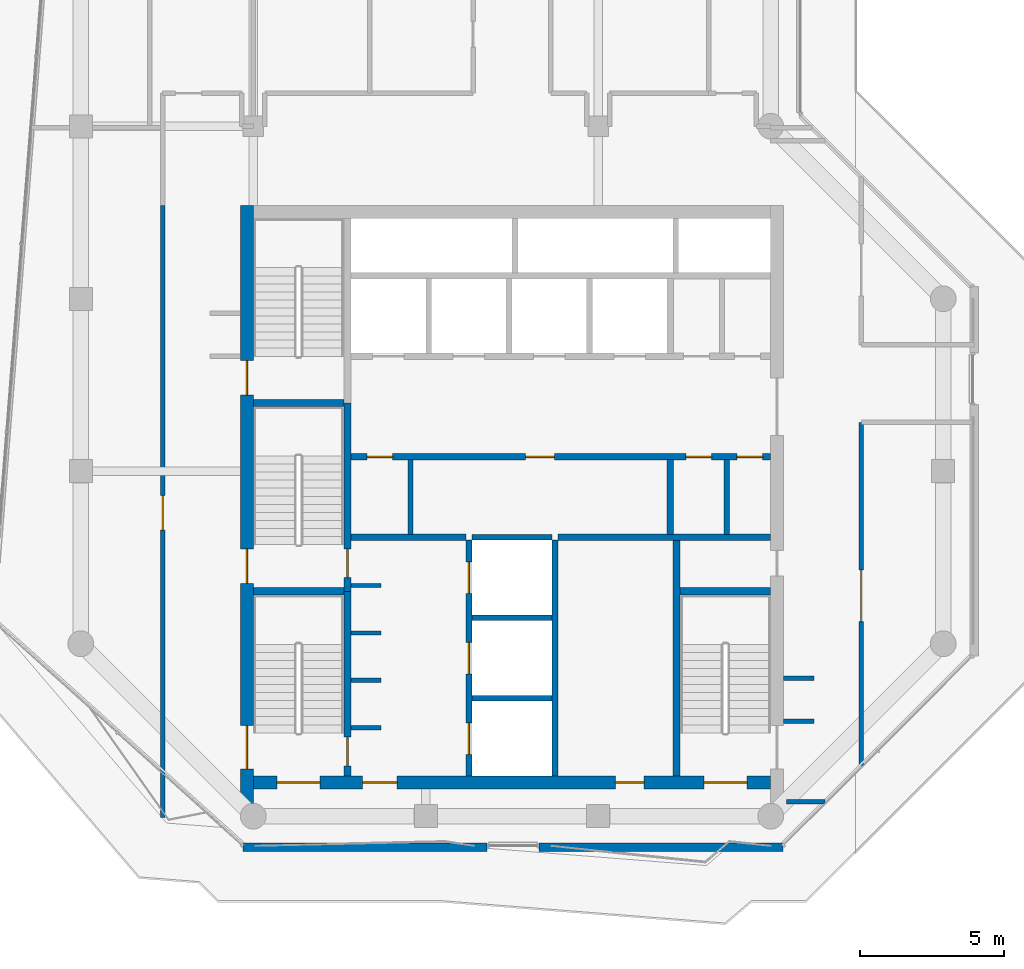
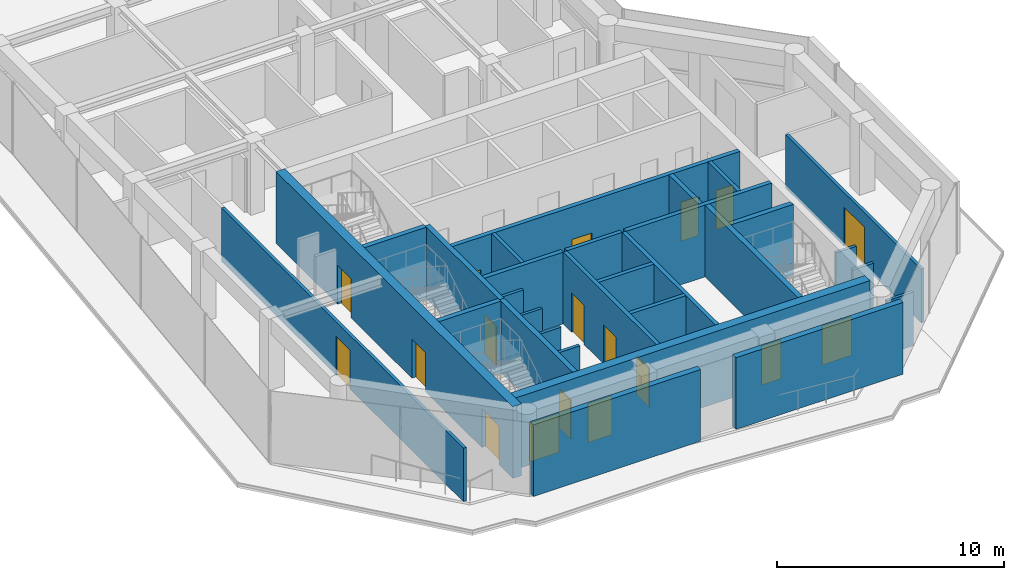
# One storey, part 19 of 23: 30 walls, 18 doors, 18 openings.
"""IFC4 building model written with IfcOpenShell, lengths in metres."""

import ifcopenshell
import ifcopenshell.guid

model = None  # the IFC model being written
_history = None  # IfcOwnerHistory: only IFC2X3 demands one
_inside = {}  # id of a spatial element -> (the spatial element, [elements in it])
_under = {}  # id of a project, library or spatial element -> (it, [spatial elements below it])
_declared = {}  # id of a project -> (the project, [libraries it declares])
_typed = {}  # id of a type object -> (the type object, [elements of that type])
_made_of = {}  # id of a material, layer set ... -> (it, [elements and type objects made of it])


def new_model(schema):
    """Start an empty IFC model of exactly this schema.

    Asked for "IFC4X3", IfcOpenShell would pick the latest addendum, in which some entities
    have other attributes; the version numbers below select the first issue.
    IFC2X3 requires an IfcOwnerHistory on every rooted entity: one is made here for all.
    """
    global model, _history
    if schema == "IFC4X3":
        model = ifcopenshell.file(schema_version=(4, 3, 0, 0))
    else:
        model = ifcopenshell.file(schema=schema)
    _inside.clear()
    _under.clear()
    _declared.clear()
    _typed.clear()
    _made_of.clear()
    _history = None
    if model.schema == "IFC2X3":
        org = make("IfcOrganization", Name="unknown")
        user = make(
            "IfcPersonAndOrganization",
            ThePerson=make("IfcPerson", FamilyName="unknown"),
            TheOrganization=org,
        )
        app = make(
            "IfcApplication",
            ApplicationDeveloper=org,
            Version="unknown",
            ApplicationFullName="unknown",
            ApplicationIdentifier="unknown",
        )
        _history = make(
            "IfcOwnerHistory",
            OwningUser=user,
            OwningApplication=app,
            ChangeAction="ADDED",
            CreationDate=0,
        )
    return model


def make(cls, **values):
    """One entity of the class cls with the attributes given. An attribute that is None is left unset."""
    return model.create_entity(
        cls, **{name: value for name, value in values.items() if value is not None}
    )


def rooted(cls, **values):
    """An entity with a GlobalId (a new one), such as an element, a storey or a relation."""
    return make(cls, GlobalId=ifcopenshell.guid.new(), OwnerHistory=_history, **values)


def si_unit(unit_type, name, prefix=None):
    """IfcSIUnit, for example si_unit("LENGTHUNIT", "METRE", prefix="MILLI")."""
    return make("IfcSIUnit", UnitType=unit_type, Prefix=prefix, Name=name)


def assignment(units):
    """IfcUnitAssignment: the units of a project."""
    return None if units is None else make("IfcUnitAssignment", Units=units)


def point(xyz):
    """IfcCartesianPoint."""
    return None if xyz is None else make("IfcCartesianPoint", Coordinates=xyz)


def direction(xyz):
    """IfcDirection."""
    return None if xyz is None else make("IfcDirection", DirectionRatios=xyz)


def frame(location, z_axis=None, x_axis=None):
    """IfcAxis2Placement3D, a coordinate frame: its origin and axes. An axis left out is left unset."""
    return make(
        "IfcAxis2Placement3D",
        Location=point(location),
        Axis=direction(z_axis),
        RefDirection=direction(x_axis),
    )


def frame_2d(location, x_axis=None):
    """IfcAxis2Placement2D, a coordinate frame in the plane: its origin and x axis."""
    return make(
        "IfcAxis2Placement2D", Location=point(location), RefDirection=direction(x_axis)
    )


def origin():
    """The frame at (0, 0, 0) with its axes left unset."""
    return frame((0.0, 0.0, 0.0))


def place(relative_to, where):
    """IfcLocalPlacement: puts the frame where relative to a parent placement (None: the world)."""
    return make(
        "IfcLocalPlacement", PlacementRelTo=relative_to, RelativePlacement=where
    )


def context(
    kind, dimensions, precision=None, world=None, true_north=None, identifier=None
):
    """IfcGeometricRepresentationContext, for example the 3D "Model" context."""
    return make(
        "IfcGeometricRepresentationContext",
        ContextIdentifier=identifier,
        ContextType=kind,
        CoordinateSpaceDimension=dimensions,
        Precision=precision,
        WorldCoordinateSystem=world,
        TrueNorth=true_north,
    )


def subcontext(parent, identifier, kind, view, scale=None):
    """IfcGeometricRepresentationSubContext, for example "Body" below "Model"."""
    return make(
        "IfcGeometricRepresentationSubContext",
        ContextIdentifier=identifier,
        ContextType=kind,
        ParentContext=parent,
        TargetScale=scale,
        TargetView=view,
    )


def project(units=None, contexts=None):
    """IfcProject with its units and contexts."""
    return rooted(
        "IfcProject",
        Name="project",
        RepresentationContexts=contexts,
        UnitsInContext=assignment(units),
    )


def spatial(cls, under=None, at=None, **own):
    """A site, building, storey or space (cls), placed at a placement, below another one or the project."""
    s = rooted(cls, ObjectPlacement=at, **own)
    if under is not None:
        _under.setdefault(under.id(), (under, []))[1].append(s)
    return s


def profile(cls, at=None, kind="AREA", **sizes):
    """A parametric profile (cls). Its sizes go by their IFC names, for example OverallWidth=200.0."""
    return make(cls, ProfileType=kind, Position=at, **sizes)


def rectangle(**sizes):
    """IfcRectangleProfileDef."""
    return profile("IfcRectangleProfileDef", **sizes)


def extrude(swept, where, along, depth):
    """IfcExtrudedAreaSolid: the profile swept, set in the frame where, extruded along a direction by depth."""
    return make(
        "IfcExtrudedAreaSolid",
        SweptArea=swept,
        Position=where,
        ExtrudedDirection=direction(along),
        Depth=depth,
    )


def shape(context_of_items, identifier, shape_type, items):
    """IfcShapeRepresentation: the items that make up one representation, for example the "Body"."""
    return make(
        "IfcShapeRepresentation",
        ContextOfItems=context_of_items,
        RepresentationIdentifier=identifier,
        RepresentationType=shape_type,
        Items=items,
    )


def material(Name=None, Category=None):
    """IfcMaterial."""
    return make("IfcMaterial", Name=Name, Category=Category)


def layer(
    of_material, thickness, ventilated=None, Name=None, Category=None, Priority=None
):
    """IfcMaterialLayer: one layer of a wall or slab, of a material (None: an air gap)."""
    return make(
        "IfcMaterialLayer",
        Material=of_material,
        LayerThickness=thickness,
        IsVentilated=ventilated,
        Name=Name,
        Category=Category,
        Priority=Priority,
    )


def layer_set(layers, Name=None):
    """IfcMaterialLayerSet."""
    return make("IfcMaterialLayerSet", MaterialLayers=layers, LayerSetName=Name)


def made_of(thing, what):
    """Note that an element or type object is made of a material, layer set ...; save() writes the relation."""
    if what is not None:
        _made_of.setdefault(what.id(), (what, []))[1].append(thing)
    return thing


def type_object(cls, material=None, **own):
    """A type object (cls), such as IfcWallType, which elements share."""
    return made_of(rooted(cls, **own), material)


def element(
    cls,
    number,
    at=None,
    inside=None,
    cuts=None,
    type_object=None,
    material=None,
    context=None,
    identifier="Body",
    shape_type=None,
    held_by="IfcProductDefinitionShape",
    body=None,
    shapes=None,
    **own,
):
    """One element of the class cls, such as IfcWall. Its Tag is "e" and its number.

    at: its placement. inside: the storey or other place that contains it. cuts: it is an
    opening in that element (IfcRelVoidsElement). A single representation is given by context,
    identifier, shape_type and body (its items); several are given by shapes. held_by: the class
    of the entity that holds the representations. save() writes the other relations.
    """
    e = rooted(cls, Tag="e%d" % number, ObjectPlacement=at, **own)
    if body is not None:
        shapes = [shape(context, identifier, shape_type, body)]
    if shapes is not None:
        e.Representation = make(held_by, Representations=shapes)
    if inside is not None:
        _inside.setdefault(inside.id(), (inside, []))[1].append(e)
    if cuts is not None:
        rooted(
            "IfcRelVoidsElement", RelatingBuildingElement=cuts, RelatedOpeningElement=e
        )
    if type_object is not None:
        _typed.setdefault(type_object.id(), (type_object, []))[1].append(e)
    return made_of(e, material)


def fill(opening, filler):
    """IfcRelFillsElement: the door or window that sits in an opening."""
    return rooted(
        "IfcRelFillsElement",
        RelatingOpeningElement=opening,
        RelatedBuildingElement=filler,
    )


def aggregate(whole, parts):
    """IfcRelAggregates: a whole, such as a stair, and the parts it consists of."""
    return rooted("IfcRelAggregates", RelatingObject=whole, RelatedObjects=parts)


def save(model, path):
    """Write the relations noted so far, then the file.

    IfcRelAggregates (storeys below a building ...), IfcRelContainedInSpatialStructure (elements
    in a storey), IfcRelDefinesByType, IfcRelAssociatesMaterial and IfcRelDeclares: one each for
    every whole, place, type object, material and project.
    """
    for whole, parts in _under.values():
        aggregate(whole, parts)
    for where, things in _inside.values():
        rooted(
            "IfcRelContainedInSpatialStructure",
            RelatedElements=things,
            RelatingStructure=where,
        )
    for kind, things in _typed.values():
        rooted("IfcRelDefinesByType", RelatedObjects=things, RelatingType=kind)
    for what, things in _made_of.values():
        rooted("IfcRelAssociatesMaterial", RelatedObjects=things, RelatingMaterial=what)
    for by, libraries in _declared.values():
        rooted("IfcRelDeclares", RelatingContext=by, RelatedDefinitions=libraries)
    model.write(path)


model = new_model("IFC4")

# Units and contexts
model_context = context("Model", 3, precision=1e-05, world=origin(), true_north=direction((0.0, 1.0)))
body_context = subcontext(model_context, "Body", "Model", "MODEL_VIEW")
ifc_project = project(units=[si_unit("LENGTHUNIT", "METRE"), si_unit("AREAUNIT", "SQUARE_METRE"), si_unit("VOLUMEUNIT", "CUBIC_METRE"), si_unit("PLANEANGLEUNIT", "RADIAN"), si_unit("MASSUNIT", "GRAM", prefix="KILO")], contexts=[model_context])

# Site, building, storey
site_placement = place(None, origin())
site = spatial("IfcSite", under=ifc_project, at=site_placement, CompositionType="ELEMENT")
building_placement = place(site_placement, origin())
building = spatial("IfcBuilding", under=site, at=building_placement, Name="Welwitschia Terrace Campus", CompositionType="ELEMENT")
storey_placement = place(building_placement, frame((0.0, 0.0, 247.39990234375)))
storey = spatial("IfcBuildingStorey", under=building, at=storey_placement, Name="L55", CompositionType="ELEMENT", Elevation=247.39990234375)

# Walls
ifc_material_1 = material(Name="Concrete C32/40", Category="concrete")
ifc_layer_1 = layer(ifc_material_1, 0.175048828125)
ifc_layer_set_1 = layer_set([ifc_layer_1], Name="Concrete C32/40")
wall_type_1 = type_object("IfcWallType", Name="Core partition 175 Concrete C32/40", PredefinedType="PARTITIONING", material=ifc_layer_set_1)
for number, where, z_axis, x_axis, name in (
    (1, (11.47509765625, 13.800048828125, 0.0), (0.0, 0.0, 1.0), (0.0, 1.0, 0.0), "Core partition"),
    (2, (22.469970703125, 13.800048828125, 0.0), (0.0, 0.0, 1.0), (0.0, 1.0, 0.0), "Core partition"),
):
    element("IfcWall", number, at=place(storey_placement, frame(where, z_axis=z_axis, x_axis=x_axis)), inside=storey, type_object=wall_type_1, Name=name, PredefinedType="PARTITIONING", context=body_context, shape_type="SweptSolid", body=[
        extrude(rectangle(XDim=2.599853515625, YDim=0.175048828125, at=frame_2d((1.2998046875, 0.0))), origin(), (0.0, 0.0, 1.0), 3.85009765625),
    ])
ifc_material_2 = material(Name="Concrete C32/40", Category="concrete")
ifc_layer_2 = layer(ifc_material_2, 0.22509765625)
ifc_layer_set_2 = layer_set([ifc_layer_2], Name="Concrete C32/40")
wall_type_2 = type_object("IfcWallType", Name="Core partition 225 Concrete C32/40", PredefinedType="PARTITIONING", material=ifc_layer_set_2)
wall_1_placement = place(storey_placement, frame((9.39990234375, 13.699951171875, 0.0), z_axis=(0.0, 0.0, 1.0), x_axis=(1.0, 0.0, 0.0)))
element("IfcWall", 3, at=wall_1_placement, inside=storey, type_object=wall_type_2, Name="Core partition", PredefinedType="PARTITIONING", context=body_context, shape_type="SweptSolid", body=[
    extrude(rectangle(XDim=4.0, YDim=0.22509765625, at=frame_2d((2.0, 0.0))), origin(), (0.0, 0.0, 1.0), 3.85009765625),
])
wall_2_placement = place(storey_placement, frame((16.60009765625, 13.699951171875, 0.0), z_axis=(0.0, 0.0, 1.0), x_axis=(1.0, 0.0, 0.0)))
element("IfcWall", 4, at=wall_2_placement, inside=storey, type_object=wall_type_2, Name="Core partition", PredefinedType="PARTITIONING", context=body_context, shape_type="SweptSolid", body=[
    extrude(rectangle(XDim=7.39990234375, YDim=0.22509765625, at=frame_2d((3.699951171875, 0.0))), origin(), (0.0, 0.0, 1.0), 3.85009765625),
])

# Wall, openings, doors
wall_3_placement = place(storey_placement, frame((9.39990234375, 16.5, 0.0), z_axis=(0.0, 0.0, 1.0), x_axis=(1.0, 0.0, 0.0)))
wall_3 = element("IfcWall", 5, at=wall_3_placement, inside=storey, type_object=wall_type_2, Name="Core partition", PredefinedType="PARTITIONING", context=body_context, shape_type="SweptSolid", body=[
    extrude(rectangle(XDim=14.60009765625, YDim=0.22509765625, at=frame_2d((7.300048828125, 0.0))), origin(), (0.0, 0.0, 1.0), 3.85009765625),
])
opening_1_placement = place(wall_3_placement, frame((0.550048828125, 0.0, 0.0)))
opening_1 = element("IfcOpeningElement", 6, at=opening_1_placement, cuts=wall_3, Name="Opening DR09", PredefinedType="OPENING", context=body_context, shape_type="SweptSolid", body=[
    extrude(rectangle(XDim=0.89990234375, YDim=2.10009765625, at=frame_2d((0.449951171875, 1.050048828125))), frame((0.0, 0.12255859375, 0.0), z_axis=(0.0, -1.0, 0.0), x_axis=(1.0, 0.0, 0.0)), (0.0, 0.0, 1.0), 0.2451171875),
])
opening_2_placement = place(wall_3_placement, frame((6.074951171875, 0.0, 0.0)))
opening_2 = element("IfcOpeningElement", 7, at=opening_2_placement, cuts=wall_3, Name="Opening DR10", PredefinedType="OPENING", context=body_context, shape_type="SweptSolid", body=[
    extrude(rectangle(XDim=1.0, YDim=2.10009765625, at=frame_2d((0.5, 1.050048828125))), frame((0.0, 0.12255859375, 0.0), z_axis=(0.0, -1.0, 0.0), x_axis=(1.0, 0.0, 0.0)), (0.0, 0.0, 1.0), 0.2451171875),
])
opening_3_placement = place(wall_3_placement, frame((11.6474609375, 0.0, 0.0)))
opening_3 = element("IfcOpeningElement", 8, at=opening_3_placement, cuts=wall_3, Name="Opening DR09", PredefinedType="OPENING", context=body_context, shape_type="SweptSolid", body=[
    extrude(rectangle(XDim=0.89990234375, YDim=2.10009765625, at=frame_2d((0.449951171875, 1.050048828125))), frame((0.0, 0.12255859375, 0.0), z_axis=(0.0, -1.0, 0.0), x_axis=(1.0, 0.0, 0.0)), (0.0, 0.0, 1.0), 0.2451171875),
])
opening_4_placement = place(wall_3_placement, frame((13.422607421875, 0.0, 0.0)))
opening_4 = element("IfcOpeningElement", 9, at=opening_4_placement, cuts=wall_3, Name="Opening DR09", PredefinedType="OPENING", context=body_context, shape_type="SweptSolid", body=[
    extrude(rectangle(XDim=0.89990234375, YDim=2.10009765625, at=frame_2d((0.449951171875, 1.050048828125))), frame((0.0, 0.12255859375, 0.0), z_axis=(0.0, -1.0, 0.0), x_axis=(1.0, 0.0, 0.0)), (0.0, 0.0, 1.0), 0.2451171875),
])
ifc_material_3 = material(Name="Steel S275", Category="steel")
door_type_1 = type_object("IfcDoorType", Name="Core door DR09", OperationType="SINGLE_SWING_LEFT", PredefinedType="DOOR", material=ifc_material_3)
door_1_placement = place(opening_1_placement, origin())
door_1 = element("IfcDoor", 10, at=door_1_placement, inside=storey, type_object=door_type_1, Name="Door BAYL1-D", OperationType="SINGLE_SWING_LEFT", OverallHeight=2.10009765625, OverallWidth=0.89990234375, PredefinedType="DOOR", context=body_context, shape_type="SweptSolid", body=[
    extrude(rectangle(XDim=0.89990234375, YDim=2.10009765625, at=frame_2d((0.449951171875, 1.050048828125))), frame((0.0, 0.02490234375, 0.0), z_axis=(0.0, -1.0, 0.0), x_axis=(1.0, 0.0, 0.0)), (0.0, 0.0, 1.0), 0.050048828125),
])
fill(opening_1, door_1)
door_2_placement = place(opening_3_placement, origin())
door_2 = element("IfcDoor", 11, at=door_2_placement, inside=storey, type_object=door_type_1, Name="Door EL1-D", OperationType="SINGLE_SWING_RIGHT", OverallHeight=2.10009765625, OverallWidth=0.89990234375, PredefinedType="DOOR", context=body_context, shape_type="SweptSolid", body=[
    extrude(rectangle(XDim=0.89990234375, YDim=2.10009765625, at=frame_2d((0.449951171875, 1.050048828125))), frame((0.0, 0.02490234375, 0.0), z_axis=(0.0, -1.0, 0.0), x_axis=(1.0, 0.0, 0.0)), (0.0, 0.0, 1.0), 0.050048828125),
])
fill(opening_3, door_2)
door_3_placement = place(opening_4_placement, origin())
door_3 = element("IfcDoor", 12, at=door_3_placement, inside=storey, type_object=door_type_1, Name="Door EL2-D", OperationType="SINGLE_SWING_RIGHT", OverallHeight=2.10009765625, OverallWidth=0.89990234375, PredefinedType="DOOR", context=body_context, shape_type="SweptSolid", body=[
    extrude(rectangle(XDim=0.89990234375, YDim=2.10009765625, at=frame_2d((0.449951171875, 1.050048828125))), frame((0.0, 0.02490234375, 0.0), z_axis=(0.0, -1.0, 0.0), x_axis=(1.0, 0.0, 0.0)), (0.0, 0.0, 1.0), 0.050048828125),
])
fill(opening_4, door_3)
ifc_material_4 = material(Name="Steel S275", Category="steel")
door_type_2 = type_object("IfcDoorType", Name="Core door DR10", OperationType="SINGLE_SWING_LEFT", PredefinedType="DOOR", material=ifc_material_4)
door_4_placement = place(opening_2_placement, origin())
door_4 = element("IfcDoor", 13, at=door_4_placement, inside=storey, type_object=door_type_2, Name="Door BAYL2-D", OperationType="SINGLE_SWING_LEFT", OverallHeight=2.10009765625, OverallWidth=1.0, PredefinedType="DOOR", context=body_context, shape_type="SweptSolid", body=[
    extrude(rectangle(XDim=1.0, YDim=2.10009765625, at=frame_2d((0.5, 1.050048828125))), frame((0.0, 0.02490234375, 0.0), z_axis=(0.0, -1.0, 0.0), x_axis=(1.0, 0.0, 0.0)), (0.0, 0.0, 1.0), 0.050048828125),
])
fill(opening_2, door_4)

# Walls
wall_4_placement = place(storey_placement, frame((20.5, 13.800048828125, 0.0), z_axis=(0.0, 0.0, 1.0), x_axis=(0.0, 1.0, 0.0)))
element("IfcWall", 14, at=wall_4_placement, inside=storey, type_object=wall_type_2, Name="Core partition", PredefinedType="PARTITIONING", context=body_context, shape_type="SweptSolid", body=[
    extrude(rectangle(XDim=2.599853515625, YDim=0.22509765625, at=frame_2d((1.2998046875, 0.0))), origin(), (0.0, 0.0, 1.0), 3.85009765625),
])
ifc_material_5 = material(Name="Concrete C50/60", Category="concrete")
ifc_layer_3 = layer(ifc_material_5, 0.14990234375)
ifc_layer_set_3 = layer_set([ifc_layer_3], Name="Concrete C50/60")
wall_type_3 = type_object("IfcWallType", Name="Core wall 150 Concrete C50/60", PredefinedType="SHEAR", material=ifc_layer_set_3)
for number, where, z_axis, x_axis, name in (
    (15, (9.39990234375, 7.074951171875, 0.0), (0.0, 0.0, 1.0), (1.0, 0.0, 0.0), "Core wall"),
    (16, (9.39990234375, 8.72509765625, 0.0), (0.0, 0.0, 1.0), (1.0, 0.0, 0.0), "Core wall"),
    (17, (9.39990234375, 10.375, 0.0), (0.0, 0.0, 1.0), (1.0, 0.0, 0.0), "Core wall"),
    (18, (9.39990234375, 12.02490234375, 0.0), (0.0, 0.0, 1.0), (1.0, 0.0, 0.0), "Core wall"),
):
    element("IfcWall", number, at=place(storey_placement, frame(where, z_axis=z_axis, x_axis=x_axis)), inside=storey, type_object=wall_type_3, Name=name, PredefinedType="SHEAR", context=body_context, shape_type="SweptSolid", body=[
        extrude(rectangle(XDim=1.050048828125, YDim=0.14990234375, at=frame_2d((0.52490234375, 0.0))), origin(), (0.0, 0.0, 1.0), 3.85009765625),
    ])
ifc_material_6 = material(Name="Concrete C50/60", Category="concrete")
ifc_layer_4 = layer(ifc_material_6, 0.199951171875)
ifc_layer_set_4 = layer_set([ifc_layer_4], Name="Concrete C50/60")
wall_type_4 = type_object("IfcWallType", Name="Core wall 200 Concrete C50/60", PredefinedType="SHEAR", material=ifc_layer_set_4)
for number, where, z_axis, x_axis, name in (
    (19, (13.60009765625, 8.10009765625, 0.0), (0.0, 0.0, 1.0), (1.0, 0.0, 0.0), "Core wall"),
    (20, (13.60009765625, 10.89990234375, 0.0), (0.0, 0.0, 1.0), (1.0, 0.0, 0.0), "Core wall"),
    (21, (13.60009765625, 13.699951171875, 0.0), (0.0, 0.0, 1.0), (1.0, 0.0, 0.0), "Core wall"),
):
    element("IfcWall", number, at=place(storey_placement, frame(where, z_axis=z_axis, x_axis=x_axis)), inside=storey, type_object=wall_type_4, Name=name, PredefinedType="SHEAR", context=body_context, shape_type="SweptSolid", body=[
        extrude(rectangle(XDim=2.7998046875, YDim=0.199951171875, at=frame_2d((1.39990234375, 0.0))), origin(), (0.0, 0.0, 1.0), 3.85009765625),
    ])

# Wall, openings, doors
wall_5_placement = place(storey_placement, frame((13.5, 5.39990234375, 0.0), z_axis=(0.0, 0.0, 1.0), x_axis=(0.0, 1.0, 0.0)))
wall_5 = element("IfcWall", 22, at=wall_5_placement, inside=storey, type_object=wall_type_4, Name="Core wall", PredefinedType="SHEAR", context=body_context, shape_type="SweptSolid", body=[
    extrude(rectangle(XDim=8.2001953125, YDim=0.199951171875, at=frame_2d((4.10009765625, 0.0))), origin(), (0.0, 0.0, 1.0), 3.85009765625),
])
opening_5_placement = place(wall_5_placement, frame((0.75, 0.0, 0.0)))
opening_5 = element("IfcOpeningElement", 23, at=opening_5_placement, cuts=wall_5, Name="Opening LD", PredefinedType="OPENING", context=body_context, shape_type="SweptSolid", body=[
    extrude(rectangle(XDim=1.10009765625, YDim=2.10009765625, at=frame_2d((0.550048828125, 1.050048828125))), frame((0.0, 0.10986328125, 0.0), z_axis=(0.0, -1.0, 0.0), x_axis=(1.0, 0.0, 0.0)), (0.0, 0.0, 1.0), 0.219970703125),
])
opening_6_placement = place(wall_5_placement, frame((3.550048828125, 0.0, 0.0)))
opening_6 = element("IfcOpeningElement", 24, at=opening_6_placement, cuts=wall_5, Name="Opening LD", PredefinedType="OPENING", context=body_context, shape_type="SweptSolid", body=[
    extrude(rectangle(XDim=1.10009765625, YDim=2.10009765625, at=frame_2d((0.550048828125, 1.050048828125))), frame((0.0, 0.10986328125, 0.0), z_axis=(0.0, -1.0, 0.0), x_axis=(1.0, 0.0, 0.0)), (0.0, 0.0, 1.0), 0.219970703125),
])
opening_7_placement = place(wall_5_placement, frame((6.35009765625, 0.0, 0.0)))
opening_7 = element("IfcOpeningElement", 25, at=opening_7_placement, cuts=wall_5, Name="Opening LD", PredefinedType="OPENING", context=body_context, shape_type="SweptSolid", body=[
    extrude(rectangle(XDim=1.10009765625, YDim=2.10009765625, at=frame_2d((0.550048828125, 1.050048828125))), frame((0.0, 0.10986328125, 0.0), z_axis=(0.0, -1.0, 0.0), x_axis=(1.0, 0.0, 0.0)), (0.0, 0.0, 1.0), 0.219970703125),
])
ifc_material_7 = material(Name="Stainless steel 304", Category="steel")
door_type_3 = type_object("IfcDoorType", Name="Lift landing door", OperationType="DOUBLE_DOOR_SLIDING", PredefinedType="DOOR", material=ifc_material_7)
door_5_placement = place(opening_5_placement, origin())
door_5 = element("IfcDoor", 26, at=door_5_placement, inside=storey, type_object=door_type_3, Name="Landing door FF1", OperationType="DOUBLE_DOOR_SLIDING", OverallHeight=2.10009765625, OverallWidth=1.10009765625, PredefinedType="DOOR", context=body_context, shape_type="SweptSolid", body=[
    extrude(rectangle(XDim=1.10009765625, YDim=2.10009765625, at=frame_2d((0.550048828125, 1.050048828125))), frame((0.0, 0.02490234375, 0.0), z_axis=(0.0, -1.0, 0.0), x_axis=(1.0, 0.0, 0.0)), (0.0, 0.0, 1.0), 0.050048828125),
])
fill(opening_5, door_5)
door_6_placement = place(opening_6_placement, origin())
door_6 = element("IfcDoor", 27, at=door_6_placement, inside=storey, type_object=door_type_3, Name="Landing door FF2", OperationType="DOUBLE_DOOR_SLIDING", OverallHeight=2.10009765625, OverallWidth=1.10009765625, PredefinedType="DOOR", context=body_context, shape_type="SweptSolid", body=[
    extrude(rectangle(XDim=1.10009765625, YDim=2.10009765625, at=frame_2d((0.550048828125, 1.050048828125))), frame((0.0, 0.02490234375, 0.0), z_axis=(0.0, -1.0, 0.0), x_axis=(1.0, 0.0, 0.0)), (0.0, 0.0, 1.0), 0.050048828125),
])
fill(opening_6, door_6)
door_7_placement = place(opening_7_placement, origin())
door_7 = element("IfcDoor", 28, at=door_7_placement, inside=storey, type_object=door_type_3, Name="Landing door SV1", OperationType="DOUBLE_DOOR_SLIDING", OverallHeight=2.10009765625, OverallWidth=1.10009765625, PredefinedType="DOOR", context=body_context, shape_type="SweptSolid", body=[
    extrude(rectangle(XDim=1.10009765625, YDim=2.10009765625, at=frame_2d((0.550048828125, 1.050048828125))), frame((0.0, 0.02490234375, 0.0), z_axis=(0.0, -1.0, 0.0), x_axis=(1.0, 0.0, 0.0)), (0.0, 0.0, 1.0), 0.050048828125),
])
fill(opening_7, door_7)

# Walls
wall_6_placement = place(storey_placement, frame((16.5, 5.39990234375, 0.0), z_axis=(0.0, 0.0, 1.0), x_axis=(0.0, 1.0, 0.0)))
element("IfcWall", 29, at=wall_6_placement, inside=storey, type_object=wall_type_4, Name="Core wall", PredefinedType="SHEAR", context=body_context, shape_type="SweptSolid", body=[
    extrude(rectangle(XDim=8.2001953125, YDim=0.199951171875, at=frame_2d((4.10009765625, 0.0))), origin(), (0.0, 0.0, 1.0), 3.85009765625),
])
ifc_material_8 = material(Name="Concrete C50/60", Category="concrete")
ifc_layer_5 = layer(ifc_material_8, 0.25)
ifc_layer_set_5 = layer_set([ifc_layer_5], Name="Concrete C50/60")
wall_type_5 = type_object("IfcWallType", Name="Core wall 250 Concrete C50/60", PredefinedType="SHEAR", material=ifc_layer_set_5)
for number, where, z_axis, x_axis, name in (
    (30, (6.0, 11.824951171875, 0.0), (0.0, 0.0, 1.0), (1.0, 0.0, 0.0), "Core wall"),
    (31, (20.85009765625, 11.824951171875, 0.0), (0.0, 0.0, 1.0), (1.0, 0.0, 0.0), "Core wall"),
    (32, (6.0, 18.375, 0.0), (0.0, 0.0, 1.0), (1.0, 0.0, 0.0), "Core wall"),
):
    element("IfcWall", number, at=place(storey_placement, frame(where, z_axis=z_axis, x_axis=x_axis)), inside=storey, type_object=wall_type_5, Name=name, PredefinedType="SHEAR", context=body_context, shape_type="SweptSolid", body=[
        extrude(rectangle(XDim=3.14990234375, YDim=0.25, at=frame_2d((1.574951171875, 0.0))), origin(), (0.0, 0.0, 1.0), 3.85009765625),
    ])

# Wall, opening, door
wall_7_placement = place(storey_placement, frame((9.27490234375, 11.824951171875, 0.0), z_axis=(0.0, 0.0, 1.0), x_axis=(0.0, -1.0, 0.0)))
wall_7 = element("IfcWall", 33, at=wall_7_placement, inside=storey, type_object=wall_type_5, Name="Core wall", PredefinedType="SHEAR", context=body_context, shape_type="SweptSolid", body=[
    extrude(rectangle(XDim=6.425048828125, YDim=0.25, at=frame_2d((3.21240234375, 0.0))), origin(), (0.0, 0.0, 1.0), 3.85009765625),
])
opening_8_placement = place(wall_7_placement, frame((5.074951171875, 0.0, 0.0)))
opening_8 = element("IfcOpeningElement", 34, at=opening_8_placement, cuts=wall_7, Name="Opening DS10", PredefinedType="OPENING", context=body_context, shape_type="SweptSolid", body=[
    extrude(rectangle(XDim=1.0, YDim=2.10009765625, at=frame_2d((0.5, 1.050048828125))), frame((0.0, 0.135009765625, 0.0), z_axis=(0.0, -1.0, 0.0), x_axis=(1.0, 0.0, 0.0)), (0.0, 0.0, 1.0), 0.27001953125),
])
ifc_material_9 = material(Name="Steel S275", Category="steel")
door_type_4 = type_object("IfcDoorType", Name="Core door DS10", OperationType="SINGLE_SWING_LEFT", PredefinedType="DOOR", material=ifc_material_9)
door_8_placement = place(opening_8_placement, origin())
door_8 = element("IfcDoor", 35, at=door_8_placement, inside=storey, type_object=door_type_4, Name="Door S1-FL", OperationType="SINGLE_SWING_RIGHT", OverallHeight=2.10009765625, OverallWidth=1.0, PredefinedType="DOOR", context=body_context, shape_type="SweptSolid", body=[
    extrude(rectangle(XDim=1.0, YDim=2.10009765625, at=frame_2d((0.5, 1.050048828125))), frame((0.0, 0.02490234375, 0.0), z_axis=(0.0, -1.0, 0.0), x_axis=(1.0, 0.0, 0.0)), (0.0, 0.0, 1.0), 0.050048828125),
])
fill(opening_8, door_8)

wall_8_placement = place(storey_placement, frame((9.27490234375, 18.375, 0.0), z_axis=(0.0, 0.0, 1.0), x_axis=(0.0, -1.0, 0.0)))
wall_8 = element("IfcWall", 36, at=wall_8_placement, inside=storey, type_object=wall_type_5, Name="Core wall", PredefinedType="SHEAR", context=body_context, shape_type="SweptSolid", body=[
    extrude(rectangle(XDim=6.550048828125, YDim=0.25, at=frame_2d((3.27490234375, 0.0))), origin(), (0.0, 0.0, 1.0), 3.85009765625),
])
opening_9_placement = place(wall_8_placement, frame((5.074951171875, 0.0, 0.0)))
opening_9 = element("IfcOpeningElement", 37, at=opening_9_placement, cuts=wall_8, Name="Opening DS10", PredefinedType="OPENING", context=body_context, shape_type="SweptSolid", body=[
    extrude(rectangle(XDim=1.0, YDim=2.10009765625, at=frame_2d((0.5, 1.050048828125))), frame((0.0, 0.135009765625, 0.0), z_axis=(0.0, -1.0, 0.0), x_axis=(1.0, 0.0, 0.0)), (0.0, 0.0, 1.0), 0.27001953125),
])
door_9_placement = place(opening_9_placement, origin())
door_9 = element("IfcDoor", 38, at=door_9_placement, inside=storey, type_object=door_type_4, Name="Door S3-FL", OperationType="SINGLE_SWING_RIGHT", OverallHeight=2.10009765625, OverallWidth=1.0, PredefinedType="DOOR", context=body_context, shape_type="SweptSolid", body=[
    extrude(rectangle(XDim=1.0, YDim=2.10009765625, at=frame_2d((0.5, 1.050048828125))), frame((0.0, 0.02490234375, 0.0), z_axis=(0.0, -1.0, 0.0), x_axis=(1.0, 0.0, 0.0)), (0.0, 0.0, 1.0), 0.050048828125),
])
fill(opening_9, door_9)

# Wall
wall_9_placement = place(storey_placement, frame((20.72509765625, 5.39990234375, 0.0), z_axis=(0.0, 0.0, 1.0), x_axis=(0.0, 1.0, 0.0)))
element("IfcWall", 39, at=wall_9_placement, inside=storey, type_object=wall_type_5, Name="Core wall", PredefinedType="SHEAR", context=body_context, shape_type="SweptSolid", body=[
    extrude(rectangle(XDim=8.2001953125, YDim=0.25, at=frame_2d((4.10009765625, 0.0))), origin(), (0.0, 0.0, 1.0), 3.85009765625),
])

# Wall, openings, doors
ifc_material_10 = material(Name="Concrete C60/75", Category="concrete")
ifc_layer_6 = layer(ifc_material_10, 0.449951171875)
ifc_layer_set_6 = layer_set([ifc_layer_6], Name="Concrete C60/75")
wall_type_6 = type_object("IfcWallType", Name="Core wall 450 Concrete C60/75", PredefinedType="SHEAR", material=ifc_layer_set_6)
wall_10_placement = place(storey_placement, frame((5.77490234375, 4.419921875, 0.0), z_axis=(0.0, 0.0, 1.0), x_axis=(0.0, 1.0, 0.0)))
wall_10 = element("IfcWall", 40, at=wall_10_placement, inside=storey, type_object=wall_type_6, Name="Core outer wall", PredefinedType="SHEAR", context=body_context, shape_type="SweptSolid", body=[
    extrude(rectangle(XDim=20.830078125, YDim=0.449951171875, at=frame_2d((10.4150390625, 0.0))), origin(), (0.0, 0.0, 1.0), 3.85009765625),
])
opening_10_placement = place(wall_10_placement, frame((1.22998046875, 0.0, 0.0)))
opening_10 = element("IfcOpeningElement", 41, at=opening_10_placement, cuts=wall_10, Name="Opening DS15", PredefinedType="OPENING", context=body_context, shape_type="SweptSolid", body=[
    extrude(rectangle(XDim=1.5, YDim=2.10009765625, at=frame_2d((0.75, 1.050048828125))), frame((0.0, 0.23486328125, 0.0), z_axis=(0.0, -1.0, 0.0), x_axis=(1.0, 0.0, 0.0)), (0.0, 0.0, 1.0), 0.469970703125),
])
opening_11_placement = place(wall_10_placement, frame((7.679931640625, 0.0, 0.0)))
opening_11 = element("IfcOpeningElement", 42, at=opening_11_placement, cuts=wall_10, Name="Opening DS12", PredefinedType="OPENING", context=body_context, shape_type="SweptSolid", body=[
    extrude(rectangle(XDim=1.199951171875, YDim=2.10009765625, at=frame_2d((0.60009765625, 1.050048828125))), frame((0.0, 0.23486328125, 0.0), z_axis=(0.0, -1.0, 0.0), x_axis=(1.0, 0.0, 0.0)), (0.0, 0.0, 1.0), 0.469970703125),
])
opening_12_placement = place(wall_10_placement, frame((14.22998046875, 0.0, 0.0)))
opening_12 = element("IfcOpeningElement", 43, at=opening_12_placement, cuts=wall_10, Name="Opening DS12", PredefinedType="OPENING", context=body_context, shape_type="SweptSolid", body=[
    extrude(rectangle(XDim=1.199951171875, YDim=2.10009765625, at=frame_2d((0.60009765625, 1.050048828125))), frame((0.0, 0.23486328125, 0.0), z_axis=(0.0, -1.0, 0.0), x_axis=(1.0, 0.0, 0.0)), (0.0, 0.0, 1.0), 0.469970703125),
])
ifc_material_11 = material(Name="Steel S275", Category="steel")
door_type_5 = type_object("IfcDoorType", Name="Core door DS12", OperationType="SINGLE_SWING_LEFT", PredefinedType="DOOR", material=ifc_material_11)
door_10_placement = place(opening_11_placement, origin())
door_10 = element("IfcDoor", 44, at=door_10_placement, inside=storey, type_object=door_type_5, Name="Door S3-out", OperationType="SINGLE_SWING_LEFT", OverallHeight=2.10009765625, OverallWidth=1.199951171875, PredefinedType="DOOR", context=body_context, shape_type="SweptSolid", body=[
    extrude(rectangle(XDim=1.199951171875, YDim=2.10009765625, at=frame_2d((0.60009765625, 1.050048828125))), frame((0.0, 0.02490234375, 0.0), z_axis=(0.0, -1.0, 0.0), x_axis=(1.0, 0.0, 0.0)), (0.0, 0.0, 1.0), 0.050048828125),
])
fill(opening_11, door_10)
door_11_placement = place(opening_12_placement, origin())
door_11 = element("IfcDoor", 45, at=door_11_placement, inside=storey, type_object=door_type_5, Name="Door S4-out", OperationType="SINGLE_SWING_RIGHT", OverallHeight=2.10009765625, OverallWidth=1.199951171875, PredefinedType="DOOR", context=body_context, shape_type="SweptSolid", body=[
    extrude(rectangle(XDim=1.199951171875, YDim=2.10009765625, at=frame_2d((0.60009765625, 1.050048828125))), frame((0.0, 0.02490234375, 0.0), z_axis=(0.0, -1.0, 0.0), x_axis=(1.0, 0.0, 0.0)), (0.0, 0.0, 1.0), 0.050048828125),
])
fill(opening_12, door_11)
ifc_material_12 = material(Name="Steel S275", Category="steel")
door_type_6 = type_object("IfcDoorType", Name="Core door DS15", OperationType="DOUBLE_DOOR_SINGLE_SWING", PredefinedType="DOOR", material=ifc_material_12)
door_12_placement = place(opening_10_placement, origin())
door_12 = element("IfcDoor", 46, at=door_12_placement, inside=storey, type_object=door_type_6, Name="Door S1-out", OperationType="DOUBLE_DOOR_SINGLE_SWING", OverallHeight=2.10009765625, OverallWidth=1.5, PredefinedType="DOOR", context=body_context, shape_type="SweptSolid", body=[
    extrude(rectangle(XDim=1.5, YDim=2.10009765625, at=frame_2d((0.75, 1.050048828125))), frame((0.0, 0.02490234375, 0.0), z_axis=(0.0, -1.0, 0.0), x_axis=(1.0, 0.0, 0.0)), (0.0, 0.0, 1.0), 0.050048828125),
])
fill(opening_10, door_12)

wall_11_placement = place(storey_placement, frame((24.0, 5.175048828125, 0.0), z_axis=(0.0, 0.0, 1.0), x_axis=(-1.0, 0.0, 0.0)))
wall_11 = element("IfcWall", 47, at=wall_11_placement, inside=storey, type_object=wall_type_6, Name="Core outer wall", PredefinedType="SHEAR", context=body_context, shape_type="SweptSolid", body=[
    extrude(rectangle(XDim=18.0, YDim=0.449951171875, at=frame_2d((9.0, 0.0))), origin(), (0.0, 0.0, 1.0), 3.85009765625),
])
opening_13_placement = place(wall_11_placement, frame((0.824951171875, 0.0, 0.0)))
opening_13 = element("IfcOpeningElement", 48, at=opening_13_placement, cuts=wall_11, Name="Opening DS15", PredefinedType="OPENING", context=body_context, shape_type="SweptSolid", body=[
    extrude(rectangle(XDim=1.5, YDim=2.10009765625, at=frame_2d((0.75, 1.050048828125))), frame((0.0, 0.23486328125, 0.0), z_axis=(0.0, -1.0, 0.0), x_axis=(1.0, 0.0, 0.0)), (0.0, 0.0, 1.0), 0.469970703125),
])
opening_14_placement = place(wall_11_placement, frame((15.675048828125, 0.0, 0.0)))
opening_14 = element("IfcOpeningElement", 49, at=opening_14_placement, cuts=wall_11, Name="Opening DS15", PredefinedType="OPENING", context=body_context, shape_type="SweptSolid", body=[
    extrude(rectangle(XDim=1.5, YDim=2.10009765625, at=frame_2d((0.75, 1.050048828125))), frame((0.0, 0.23486328125, 0.0), z_axis=(0.0, -1.0, 0.0), x_axis=(1.0, 0.0, 0.0)), (0.0, 0.0, 1.0), 0.469970703125),
])
opening_15_placement = place(wall_11_placement, frame((13.0, 0.0, 0.0)))
opening_15 = element("IfcOpeningElement", 50, at=opening_15_placement, cuts=wall_11, Name="Opening DF12", PredefinedType="OPENING", context=body_context, shape_type="SweptSolid", body=[
    extrude(rectangle(XDim=1.199951171875, YDim=2.10009765625, at=frame_2d((0.60009765625, 1.050048828125))), frame((0.0, 0.23486328125, 0.0), z_axis=(0.0, -1.0, 0.0), x_axis=(1.0, 0.0, 0.0)), (0.0, 0.0, 1.0), 0.469970703125),
])
opening_16_placement = place(wall_11_placement, frame((4.39990234375, 0.0, 0.0)))
opening_16 = element("IfcOpeningElement", 51, at=opening_16_placement, cuts=wall_11, Name="Opening DR10", PredefinedType="OPENING", context=body_context, shape_type="SweptSolid", body=[
    extrude(rectangle(XDim=1.0, YDim=2.10009765625, at=frame_2d((0.5, 1.050048828125))), frame((0.0, 0.23486328125, 0.0), z_axis=(0.0, -1.0, 0.0), x_axis=(1.0, 0.0, 0.0)), (0.0, 0.0, 1.0), 0.469970703125),
])
ifc_material_13 = material(Name="Steel S275", Category="steel")
door_type_7 = type_object("IfcDoorType", Name="Core door DF12", OperationType="SINGLE_SWING_LEFT", PredefinedType="DOOR", material=ifc_material_13)
door_13_placement = place(opening_15_placement, origin())
door_13 = element("IfcDoor", 52, at=door_13_placement, inside=storey, type_object=door_type_7, Name="Door FL-out", OperationType="SINGLE_SWING_RIGHT", OverallHeight=2.10009765625, OverallWidth=1.199951171875, PredefinedType="DOOR", context=body_context, shape_type="SweptSolid", body=[
    extrude(rectangle(XDim=1.199951171875, YDim=2.10009765625, at=frame_2d((0.60009765625, 1.050048828125))), frame((0.0, 0.02490234375, 0.0), z_axis=(0.0, -1.0, 0.0), x_axis=(1.0, 0.0, 0.0)), (0.0, 0.0, 1.0), 0.050048828125),
])
fill(opening_15, door_13)
door_14_placement = place(opening_16_placement, origin())
door_14 = element("IfcDoor", 53, at=door_14_placement, inside=storey, type_object=door_type_2, Name="Door F1-out", OperationType="SINGLE_SWING_LEFT", OverallHeight=2.10009765625, OverallWidth=1.0, PredefinedType="DOOR", context=body_context, shape_type="SweptSolid", body=[
    extrude(rectangle(XDim=1.0, YDim=2.10009765625, at=frame_2d((0.5, 1.050048828125))), frame((0.0, 0.02490234375, 0.0), z_axis=(0.0, -1.0, 0.0), x_axis=(1.0, 0.0, 0.0)), (0.0, 0.0, 1.0), 0.050048828125),
])
fill(opening_16, door_14)
door_15_placement = place(opening_13_placement, origin())
door_15 = element("IfcDoor", 54, at=door_15_placement, inside=storey, type_object=door_type_6, Name="Door S2-outS", OperationType="DOUBLE_DOOR_SINGLE_SWING", OverallHeight=2.10009765625, OverallWidth=1.5, PredefinedType="DOOR", context=body_context, shape_type="SweptSolid", body=[
    extrude(rectangle(XDim=1.5, YDim=2.10009765625, at=frame_2d((0.75, 1.050048828125))), frame((0.0, 0.02490234375, 0.0), z_axis=(0.0, -1.0, 0.0), x_axis=(1.0, 0.0, 0.0)), (0.0, 0.0, 1.0), 0.050048828125),
])
fill(opening_13, door_15)
door_16_placement = place(opening_14_placement, origin())
door_16 = element("IfcDoor", 55, at=door_16_placement, inside=storey, type_object=door_type_6, Name="Door S1-outS", OperationType="DOUBLE_DOOR_SINGLE_SWING", OverallHeight=2.10009765625, OverallWidth=1.5, PredefinedType="DOOR", context=body_context, shape_type="SweptSolid", body=[
    extrude(rectangle(XDim=1.5, YDim=2.10009765625, at=frame_2d((0.75, 1.050048828125))), frame((0.0, 0.02490234375, 0.0), z_axis=(0.0, -1.0, 0.0), x_axis=(1.0, 0.0, 0.0)), (0.0, 0.0, 1.0), 0.050048828125),
])
fill(opening_14, door_16)

# Wall, opening, door
ifc_material_14 = material(Name="Gypsum board on steel studs", Category="steel")
ifc_layer_7 = layer(ifc_material_14, 0.14990234375)
ifc_layer_set_7 = layer_set([ifc_layer_7], Name="Gypsum board on steel studs")
wall_type_7 = type_object("IfcWallType", Name="Corridor partition 150 EI 30", PredefinedType="PARTITIONING", material=ifc_layer_set_7)
wall_12_placement = place(storey_placement, frame((2.85009765625, 3.9599609375, 0.0), z_axis=(0.0, 0.0, 1.0), x_axis=(0.0, 1.0, 0.0)))
wall_12 = element("IfcWall", 56, at=wall_12_placement, inside=storey, type_object=wall_type_7, Name="Partition", PredefinedType="PARTITIONING", context=body_context, shape_type="SweptSolid", body=[
    extrude(rectangle(XDim=21.2900390625, YDim=0.14990234375, at=frame_2d((10.64501953125, 0.0))), origin(), (0.0, 0.0, 1.0), 2.880126953125),
])
opening_17_placement = place(wall_12_placement, frame((9.989990234375, 0.0, 0.0)))
opening_17 = element("IfcOpeningElement", 57, at=opening_17_placement, cuts=wall_12, Name="Opening DI12", PredefinedType="OPENING", context=body_context, shape_type="SweptSolid", body=[
    extrude(rectangle(XDim=1.199951171875, YDim=2.10009765625, at=frame_2d((0.60009765625, 1.050048828125))), frame((0.0, 0.0849609375, 0.0), z_axis=(0.0, -1.0, 0.0), x_axis=(1.0, 0.0, 0.0)), (0.0, 0.0, 1.0), 0.169921875),
])
ifc_material_15 = material(Name="Timber veneered door", Category="wood")
door_type_8 = type_object("IfcDoorType", Name="Interior door DI12", OperationType="NOTDEFINED", PredefinedType="DOOR", material=ifc_material_15)
door_17_placement = place(opening_17_placement, origin())
door_17 = element("IfcDoor", 58, at=door_17_placement, inside=storey, type_object=door_type_8, Name="Door L55 1002", OperationType="SINGLE_SWING_LEFT", OverallHeight=2.10009765625, OverallWidth=1.199951171875, PredefinedType="DOOR", context=body_context, shape_type="SweptSolid", body=[
    extrude(rectangle(XDim=1.199951171875, YDim=2.10009765625, at=frame_2d((0.60009765625, 1.050048828125))), frame((0.0, 0.02490234375, 0.0), z_axis=(0.0, -1.0, 0.0), x_axis=(1.0, 0.0, 0.0)), (0.0, 0.0, 1.0), 0.050048828125),
])
fill(opening_17, door_17)

# Walls
for number, where, z_axis, x_axis, name in (
    (59, (24.449951171875, 7.300048828125, 0.0), (0.0, 0.0, 1.0), (1.0, 0.0, 0.0), "Partition"),
    (60, (24.449951171875, 8.800048828125, 0.0), (0.0, 0.0, 1.0), (1.0, 0.0, 0.0), "Partition"),
):
    element("IfcWall", number, at=place(storey_placement, frame(where, z_axis=z_axis, x_axis=x_axis)), inside=storey, type_object=wall_type_7, Name=name, PredefinedType="PARTITIONING", context=body_context, shape_type="SweptSolid", body=[
        extrude(rectangle(XDim=1.050048828125, YDim=0.14990234375, at=frame_2d((0.52490234375, 0.0))), origin(), (0.0, 0.0, 1.0), 2.880126953125),
    ])
wall_13_placement = place(storey_placement, frame((24.550048828125, 4.5, 0.0), z_axis=(0.0, 0.0, 1.0), x_axis=(1.0, 0.0, 0.0)))
element("IfcWall", 61, at=wall_13_placement, inside=storey, type_object=wall_type_7, Name="Partition", PredefinedType="PARTITIONING", context=body_context, shape_type="SweptSolid", body=[
    extrude(rectangle(XDim=1.33984375, YDim=0.14990234375, at=frame_2d((0.669921875, 0.0))), origin(), (0.0, 0.0, 1.0), 2.880126953125),
])

# Wall, opening, door
wall_14_placement = place(storey_placement, frame((27.14990234375, 5.77001953125, 0.0), z_axis=(0.0, 0.0, 1.0), x_axis=(0.0, 1.0, 0.0)))
wall_14 = element("IfcWall", 62, at=wall_14_placement, inside=storey, type_object=wall_type_7, Name="Partition", PredefinedType="PARTITIONING", context=body_context, shape_type="SweptSolid", body=[
    extrude(rectangle(XDim=11.929931640625, YDim=0.14990234375, at=frame_2d((5.96484375, 0.0))), origin(), (0.0, 0.0, 1.0), 2.880126953125),
])
opening_18_placement = place(wall_14_placement, frame((5.0, 0.0, 0.0)))
opening_18 = element("IfcOpeningElement", 63, at=opening_18_placement, cuts=wall_14, Name="Opening DI18", PredefinedType="OPENING", context=body_context, shape_type="SweptSolid", body=[
    extrude(rectangle(XDim=1.800048828125, YDim=2.10009765625, at=frame_2d((0.89990234375, 1.050048828125))), frame((0.0, 0.0849609375, 0.0), z_axis=(0.0, -1.0, 0.0), x_axis=(1.0, 0.0, 0.0)), (0.0, 0.0, 1.0), 0.169921875),
])
ifc_material_16 = material(Name="Timber veneered door", Category="wood")
door_type_9 = type_object("IfcDoorType", Name="Interior door DI18", OperationType="DOUBLE_DOOR_SINGLE_SWING", PredefinedType="DOOR", material=ifc_material_16)
door_18_placement = place(opening_18_placement, origin())
door_18 = element("IfcDoor", 64, at=door_18_placement, inside=storey, type_object=door_type_9, Name="Door L55 1015", OperationType="SINGLE_SWING_LEFT", OverallHeight=2.10009765625, OverallWidth=1.800048828125, PredefinedType="DOOR", context=body_context, shape_type="SweptSolid", body=[
    extrude(rectangle(XDim=1.800048828125, YDim=2.10009765625, at=frame_2d((0.89990234375, 1.050048828125))), frame((0.0, 0.02490234375, 0.0), z_axis=(0.0, -1.0, 0.0), x_axis=(1.0, 0.0, 0.0)), (0.0, 0.0, 1.0), 0.050048828125),
])
fill(opening_18, door_18)

# Walls
ifc_material_17 = material(Name="Concrete C40/50", Category="concrete")
ifc_layer_8 = layer(ifc_material_17, 0.300048828125)
ifc_layer_set_8 = layer_set([ifc_layer_8], Name="Concrete C40/50")
wall_type_8 = type_object("IfcWallType", Name="Mass wall 300", PredefinedType="SOLIDWALL", material=ifc_layer_set_8)
wall_15_placement = place(storey_placement, frame((5.639892578125, 2.919921875, 0.0), z_axis=(0.0, 0.0, 1.0), x_axis=(1.0, 0.0, 0.0)))
element("IfcWall", 65, at=wall_15_placement, inside=storey, type_object=wall_type_8, Name="Mass wall L55.3.0", PredefinedType="SOLIDWALL", context=body_context, shape_type="SweptSolid", body=[
    extrude(rectangle(XDim=8.493408203125, YDim=0.300048828125, at=frame_2d((4.24658203125, 0.0))), origin(), (0.0, 0.0, 1.0), 3.85009765625),
])
wall_16_placement = place(storey_placement, frame((15.933349609375, 2.92041015625, 0.0), z_axis=(0.0, 0.0, 1.0), x_axis=(1.0, 0.0, 0.0)))
element("IfcWall", 66, at=wall_16_placement, inside=storey, type_object=wall_type_8, Name="Mass wall L55.3.1", PredefinedType="SOLIDWALL", context=body_context, shape_type="SweptSolid", body=[
    extrude(rectangle(XDim=8.4931640625, YDim=0.300048828125, at=frame_2d((4.24658203125, 0.0))), origin(), (0.0, 0.0, 1.0), 3.85009765625),
])

save(model, "model.ifc")
